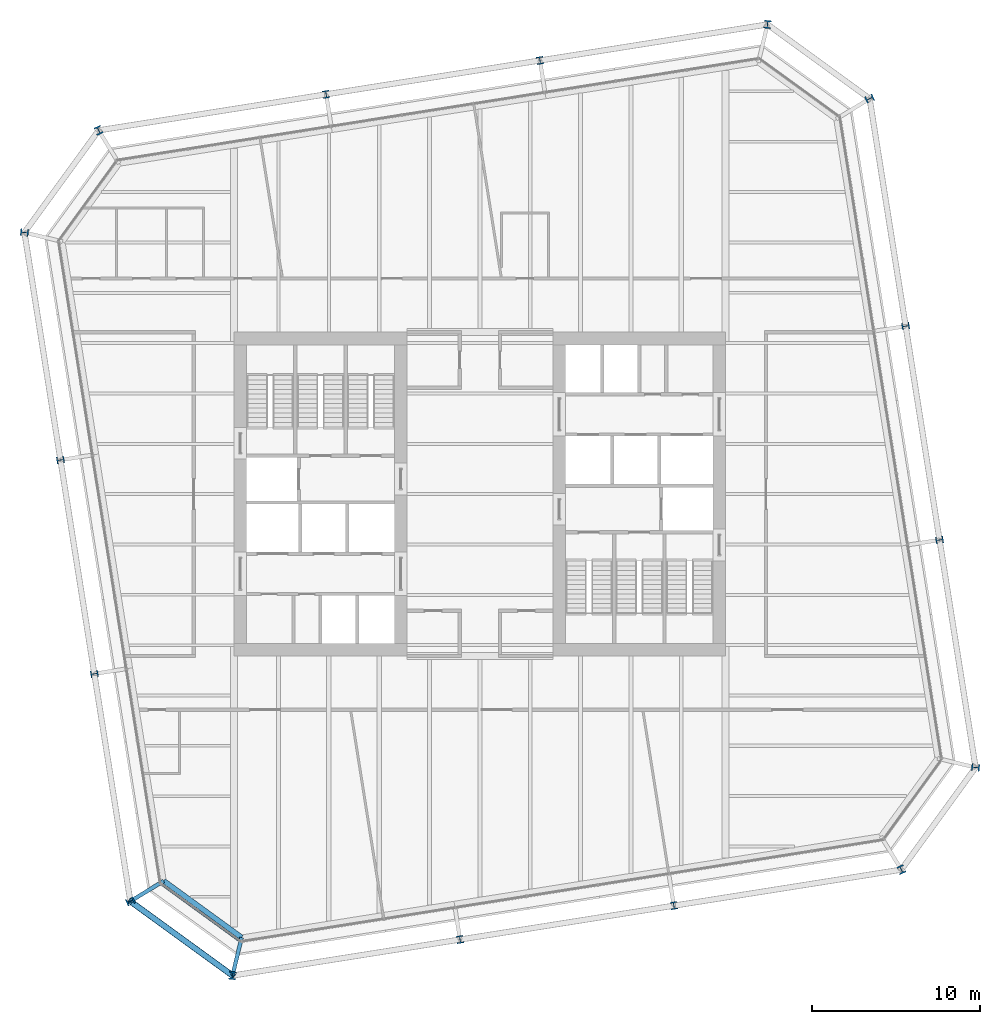
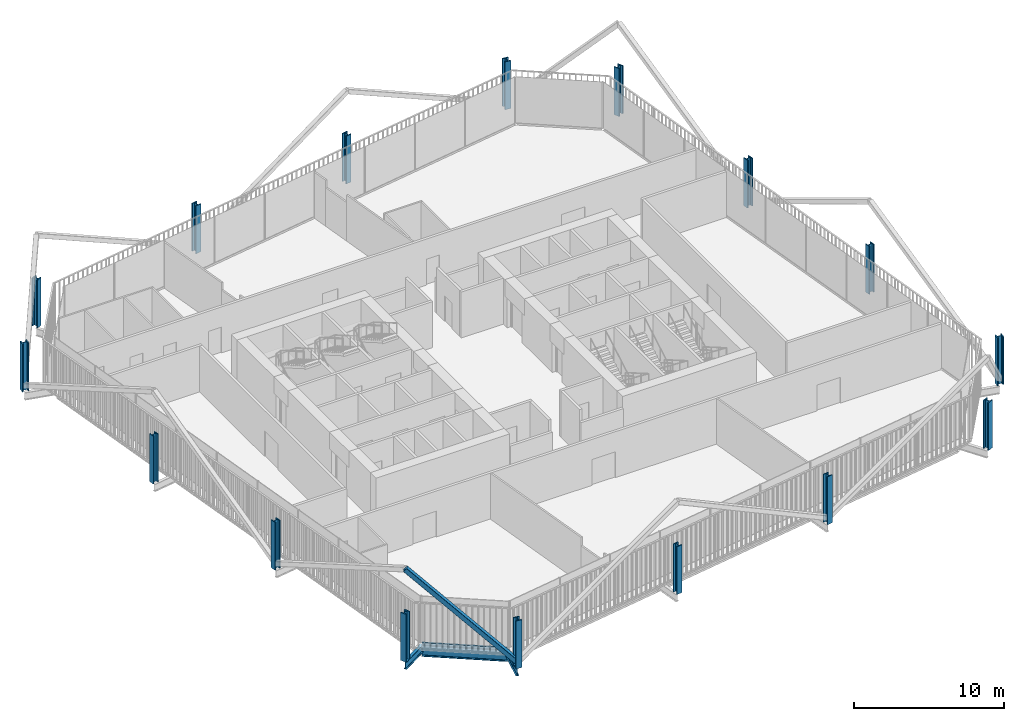
# One storey, part 1 of 22: 16 columns, 3 beams, 2 members, 1 element without a shape of its own.
"""IFC4 building model written with IfcOpenShell, lengths in metres."""

from ifc_helpers import new_model, si_unit, direction, frame, origin, origin_2d, place, context, subcontext, project, spatial, rectangle, hollow_rectangle, i_section, extrude, material, layer, layer_set, material_profile, profile_set, type_object, element, aggregate, save


model = new_model("IFC4")

# Units and contexts
model_context = context("Model", 3, precision=1e-05, world=origin(), true_north=direction((0.0, 1.0)))
body_context = subcontext(model_context, "Body", "Model", "MODEL_VIEW")
ifc_project = project(units=[si_unit("LENGTHUNIT", "METRE"), si_unit("AREAUNIT", "SQUARE_METRE"), si_unit("VOLUMEUNIT", "CUBIC_METRE"), si_unit("PLANEANGLEUNIT", "RADIAN"), si_unit("MASSUNIT", "GRAM", prefix="KILO")], contexts=[model_context])

# Site, building, storey
site_placement = place(None, origin())
site = spatial("IfcSite", under=ifc_project, at=site_placement, CompositionType="ELEMENT")
building_placement = place(site_placement, origin())
building = spatial("IfcBuilding", under=site, at=building_placement, Name="Millrace Tower", CompositionType="ELEMENT")
storey_placement = place(building_placement, frame((0.0, 0.0, 137.300048828125)))
storey = spatial("IfcBuildingStorey", under=building, at=storey_placement, Name="L30", CompositionType="ELEMENT", Elevation=137.300048828125)

# Columns
ifc_material_1 = material(Name="Steel ASTM A913 Grade 65", Category="steel")
ifc_material_profile_1 = material_profile(ifc_material_1, i_section(OverallWidth=0.419189453125, OverallDepth=0.45458984375, WebThickness=0.042236328125, FlangeThickness=0.067626953125, FilletRadius=0.01513671875, at=origin_2d()))
ifc_profile_set_1 = profile_set([ifc_material_profile_1], Name="Steel ASTM A913 Grade 65")
column_type_1 = type_object("IfcColumnType", Name="Exoskeleton column W14x370", PredefinedType="COLUMN", material=ifc_profile_set_1)
for number, where, z_axis, x_axis, name in (
    (1, (-1.181396484375, -26.545166015625, 0.0), (0.0, 0.0, 1.0), (0.987688339156, 0.156434474125, 0.0), "COL-C-L30-X03"),
    (2, (11.5595703125, -24.527099609375, 0.0), (0.0, 0.0, 1.0), (0.987688338239, 0.156434479917, 0.0), "COL-C-L30-X04"),
    (3, (27.39501953125, -2.7314453125, 0.0), (0.0, 0.0, 1.0), (-0.156434474125, 0.987688339156, 0.0), "COL-C-L30-X07"),
    (4, (25.376953125, 10.009765625, 0.0), (0.0, 0.0, 1.0), (-0.156434479917, 0.987688338239, 0.0), "COL-C-L30-X08"),
    (5, (3.58154296875, 25.844970703125, 0.0), (0.0, 0.0, 1.0), (-0.987688339156, -0.156434474125, 0.0), "COL-C-L30-X11"),
    (6, (-9.15966796875, 23.8271484375, 0.0), (0.0, 0.0, 1.0), (-0.987688338239, -0.156434479917, 0.0), "COL-C-L30-X12"),
    (7, (-24.9951171875, 2.031494140625, 0.0), (0.0, 0.0, 1.0), (0.156434474125, -0.987688339156, 0.0), "COL-C-L30-X15"),
    (8, (-22.97705078125, -10.709716796875, 0.0), (0.0, 0.0, 1.0), (0.156434479917, -0.987688338239, 0.0), "COL-C-L30-X16"),
):
    element("IfcColumn", number, at=place(storey_placement, frame(where, z_axis=z_axis, x_axis=x_axis)), inside=storey, type_object=column_type_1, Name=name, PredefinedType="COLUMN", context=body_context, shape_type="SweptSolid", body=[
        extrude(i_section(OverallWidth=0.419189453125, OverallDepth=0.45458984375, WebThickness=0.042236328125, FlangeThickness=0.067626953125, FilletRadius=0.01513671875, at=origin_2d()), origin(), (0.0, 0.0, 1.0), 3.89990234375),
    ])
ifc_material_2 = material(Name="Steel ASTM A913 Grade 65", Category="steel")
ifc_material_profile_2 = material_profile(ifc_material_2, i_section(OverallWidth=0.4267578125, OverallDepth=0.482666015625, WebThickness=0.05126953125, FlangeThickness=0.08154296875, FilletRadius=0.01513671875, at=origin_2d()))
ifc_profile_set_2 = profile_set([ifc_material_profile_2], Name="Steel ASTM A913 Grade 65")
column_type_2 = type_object("IfcColumnType", Name="Exoskeleton column W14x455", PredefinedType="COLUMN", material=ifc_profile_set_2)
for number, where, z_axis, x_axis, name in (
    (9, (-20.829345703125, -24.26904296875, 0.0), (0.0, 0.0, 1.0), (0.416401106568, -0.909181015227, 0.0), "COL-C-L30-X01"),
    (10, (-14.740966796875, -28.692626953125, 0.0), (0.0, 0.0, 1.0), (0.993357548409, -0.115068592665, 0.0), "COL-C-L30-X02"),
    (11, (25.119140625, -22.37939453125, 0.0), (0.0, 0.0, 1.0), (0.909181015227, 0.416401106568, 0.0), "COL-C-L30-X05"),
    (12, (29.542724609375, -16.291015625, 0.0), (0.0, 0.0, 1.0), (0.115068592665, 0.993357548409, 0.0), "COL-C-L30-X06"),
    (13, (23.2294921875, 23.569091796875, 0.0), (0.0, 0.0, 1.0), (-0.416401106568, 0.909181015227, 0.0), "COL-C-L30-X09"),
    (14, (17.140869140625, 27.99267578125, 0.0), (0.0, 0.0, 1.0), (-0.993357548409, 0.115068592665, 0.0), "COL-C-L30-X10"),
    (15, (-22.718994140625, 21.679443359375, 0.0), (0.0, 0.0, 1.0), (-0.909181015227, -0.416401106568, 0.0), "COL-C-L30-X13"),
    (16, (-27.142578125, 15.5908203125, 0.0), (0.0, 0.0, 1.0), (-0.115068592665, -0.993357548409, 0.0), "COL-C-L30-X14"),
):
    element("IfcColumn", number, at=place(storey_placement, frame(where, z_axis=z_axis, x_axis=x_axis)), inside=storey, type_object=column_type_2, Name=name, PredefinedType="COLUMN", context=body_context, shape_type="SweptSolid", body=[
        extrude(i_section(OverallWidth=0.4267578125, OverallDepth=0.482666015625, WebThickness=0.05126953125, FlangeThickness=0.08154296875, FilletRadius=0.01513671875, at=origin_2d()), origin(), (0.0, 0.0, 1.0), 3.89990234375),
    ])

# Curtain wall, member
ifc_material_3 = material(Name="Aluminium and glass", Category="aluminium")
ifc_layer = layer(ifc_material_3, 0.14990234375)
ifc_layer_set = layer_set([ifc_layer], Name="Aluminium and glass")
curtain_wall_type = type_object("IfcCurtainWallType", Name="CW-1 office vision curtain wall", PredefinedType="NOTDEFINED", material=ifc_layer_set)
curtain_wall_placement = place(storey_placement, origin())
curtain_wall = element("IfcCurtainWall", 17, at=curtain_wall_placement, inside=storey, type_object=curtain_wall_type, Name="Curtain wall C-F01 L30", PredefinedType="NOTDEFINED")
ifc_material_4 = material(Name="Aluminium", Category="aluminium")
ifc_material_profile_3 = material_profile(ifc_material_4, rectangle(XDim=0.14990234375, YDim=0.139892578125, at=origin_2d()))
ifc_profile_set_3 = profile_set([ifc_material_profile_3], Name="Aluminium")
member_type_1 = type_object("IfcMemberType", Name="CW-1 office vision curtain wall transom", PredefinedType="USERDEFINED", material=ifc_profile_set_3)
member_1_placement = place(storey_placement, frame((-18.94677734375, -23.25732421875, 0.070068359375), z_axis=(0.808998591139, -0.587810581339, 0.0), x_axis=(0.587810581339, 0.808998591139, 0.0)))
member_1 = element("IfcMember", 18, at=member_1_placement, type_object=member_type_1, Name="CW1 transom C-F01.1", ObjectType="TRANSOM", PredefinedType="USERDEFINED", context=body_context, shape_type="SweptSolid", body=[
    extrude(rectangle(XDim=0.14990234375, YDim=0.139892578125, at=origin_2d()), origin(), (0.0, 0.0, 1.0), 5.6689453125),
])
aggregate(curtain_wall, [member_1])

# Member
ifc_material_5 = material(Name="Steel ASTM A500 Grade C", Category="steel")
ifc_material_profile_4 = material_profile(ifc_material_5, hollow_rectangle(XDim=0.355712890625, YDim=0.355712890625, WallThickness=0.015869140625, InnerFilletRadius=0.008056640625, OuterFilletRadius=0.02392578125, at=origin_2d()))
ifc_profile_set_4 = profile_set([ifc_material_profile_4], Name="Steel ASTM A500 Grade C")
member_type_2 = type_object("IfcMemberType", Name="Exoskeleton brace HSS14x14x5/8", PredefinedType="BRACE", material=ifc_profile_set_4)
member_2_placement = place(storey_placement, frame((-14.740966796875, -28.692626953125, 0.39990234375), z_axis=(-0.592372334541, 0.430395153162, 0.681069034243), x_axis=(-0.587795495726, -0.809009551985, 0.0)))
element("IfcMember", 19, at=member_2_placement, inside=storey, type_object=member_type_2, Name="BRC-C-L30-01", PredefinedType="BRACE", context=body_context, shape_type="SweptSolid", body=[
    extrude(hollow_rectangle(XDim=0.355712890625, YDim=0.355712890625, WallThickness=0.015869140625, InnerFilletRadius=0.008056640625, OuterFilletRadius=0.02392578125, at=origin_2d()), origin(), (0.0, 0.0, 1.0), 10.278076171875),
])

# Beams
ifc_material_6 = material(Name="Steel ASTM A992 Grade 50", Category="steel")
ifc_material_profile_5 = material_profile(ifc_material_6, i_section(OverallWidth=0.23046875, OverallDepth=0.6171875, WebThickness=0.01318359375, FlangeThickness=0.022216796875, FilletRadius=0.012939453125, at=origin_2d()))
ifc_profile_set_5 = profile_set([ifc_material_profile_5], Name="Steel ASTM A992 Grade 50")
beam_type_1 = type_object("IfcBeamType", Name="Link beam W24x94", PredefinedType="BEAM", material=ifc_profile_set_5)
for number, where, z_axis, x_axis, name in (
    (20, (-18.841796875, -23.051025390625, -0.46875), (-0.852631355792, -0.522512938711, 0.0), (0.522512938711, -0.852631355792, 0.0), "LNK-C-L30-S1-01"),
    (21, (-14.19677734375, -26.426025390625, -0.46875), (-0.233456138164, -0.972367333652, 0.0), (0.972367333652, -0.233456138164, 0.0), "LNK-C-L30-S1-16"),
):
    element("IfcBeam", number, at=place(storey_placement, frame(where, z_axis=z_axis, x_axis=x_axis)), inside=storey, type_object=beam_type_1, Name=name, PredefinedType="BEAM", context=body_context, shape_type="SweptSolid", body=[
        extrude(i_section(OverallWidth=0.23046875, OverallDepth=0.6171875, WebThickness=0.01318359375, FlangeThickness=0.022216796875, FilletRadius=0.012939453125, at=origin_2d()), origin(), (0.0, 0.0, 1.0), 2.3310546875),
    ])
ifc_material_7 = material(Name="Steel ASTM A992 Grade 50", Category="steel")
ifc_material_profile_6 = material_profile(ifc_material_7, i_section(OverallWidth=0.307373046875, OverallDepth=0.927001953125, WebThickness=0.01953125, FlangeThickness=0.031982421875, FilletRadius=0.01904296875, at=origin_2d()))
ifc_profile_set_6 = profile_set([ifc_material_profile_6], Name="Steel ASTM A992 Grade 50")
beam_type_2 = type_object("IfcBeamType", Name="Ring beam short span W36x194", PredefinedType="SPANDREL", material=ifc_profile_set_6)
beam_placement = place(storey_placement, frame((-14.19677734375, -26.426025390625, -0.62353515625), z_axis=(-0.80900078054, 0.587807568074, 0.0), x_axis=(-0.587807568074, -0.80900078054, 0.0)))
element("IfcBeam", 22, at=beam_placement, inside=storey, type_object=beam_type_2, Name="RNG-C-L30-S1-16", PredefinedType="SPANDREL", context=body_context, shape_type="SweptSolid", body=[
    extrude(i_section(OverallWidth=0.307373046875, OverallDepth=0.927001953125, WebThickness=0.01953125, FlangeThickness=0.031982421875, FilletRadius=0.01904296875, at=origin_2d()), origin(), (0.0, 0.0, 1.0), 5.74169921875),
])

save(model, "model.ifc")
